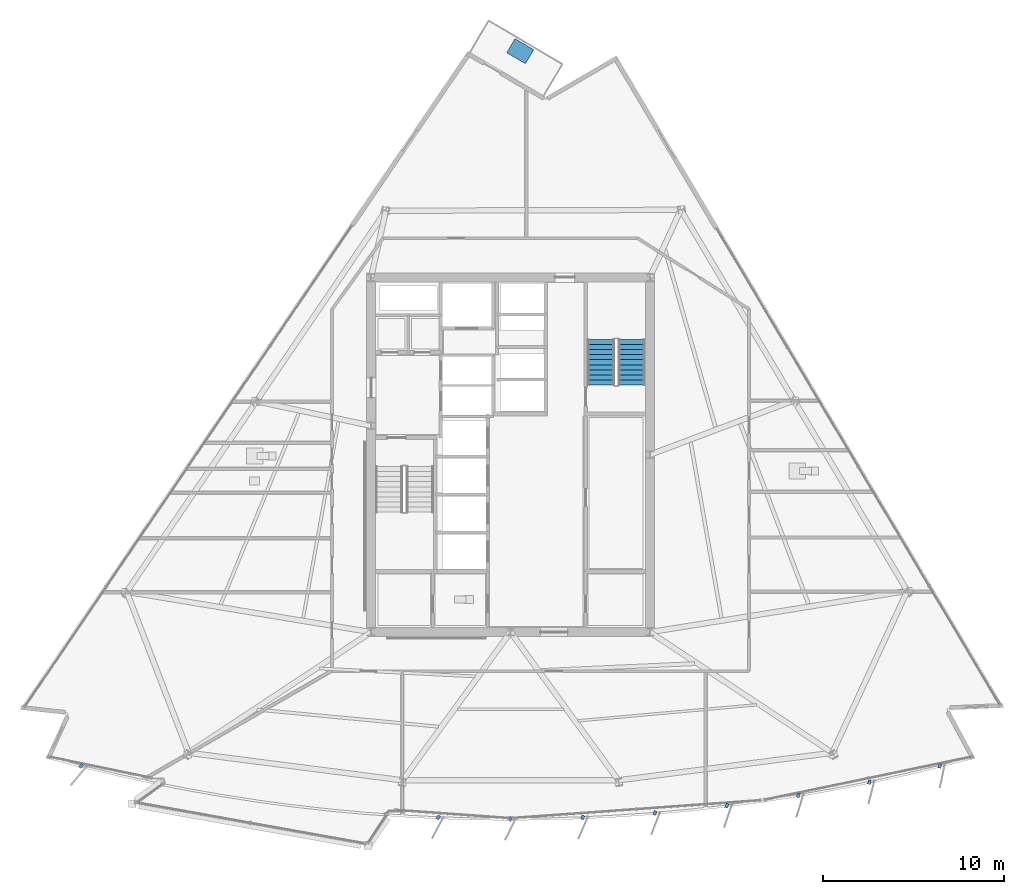
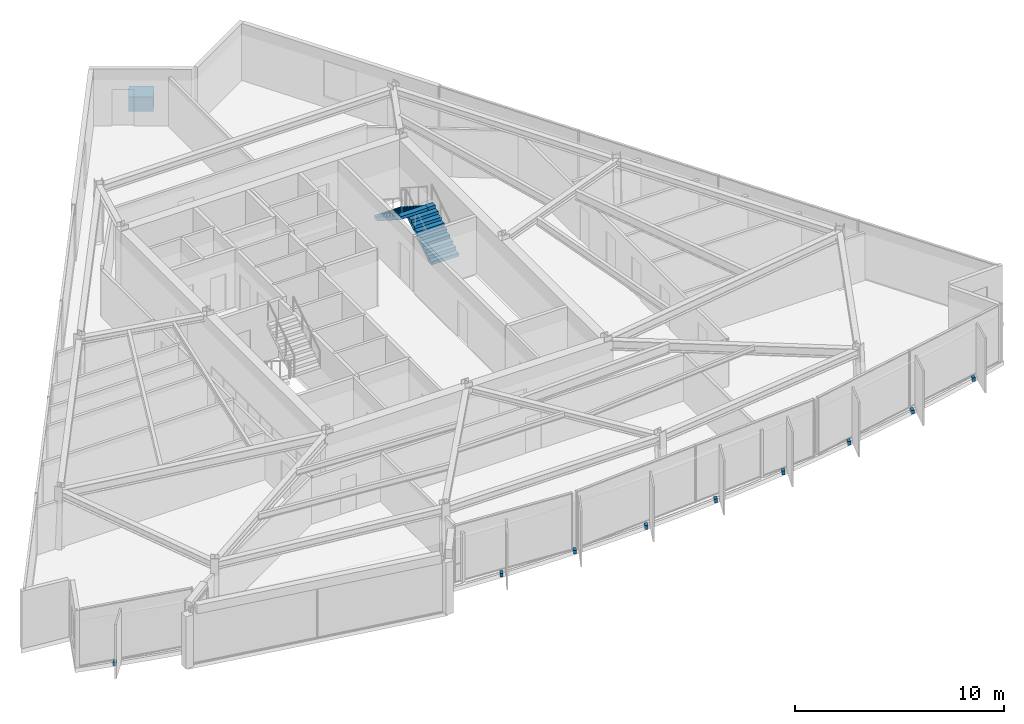
# One storey, part 11 of 16: 10 discrete accessories, 2 stair flights, 1 element without a shape of its own.
"""IFC4 building model written with IfcOpenShell, lengths in metres."""

from ifc_helpers import new_model, si_unit, direction, frame, origin, origin_2d, place, context, subcontext, project, spatial, polyline, rectangle, outline, extrude, material, type_object, element, aggregate, save


model = new_model("IFC4")

# Units and contexts
model_context = context("Model", 3, precision=1e-05, world=origin(), true_north=direction((0.0, 1.0)))
body_context = subcontext(model_context, "Body", "Model", "MODEL_VIEW")
ifc_project = project(units=[si_unit("LENGTHUNIT", "METRE"), si_unit("AREAUNIT", "SQUARE_METRE"), si_unit("VOLUMEUNIT", "CUBIC_METRE"), si_unit("PLANEANGLEUNIT", "RADIAN"), si_unit("MASSUNIT", "GRAM", prefix="KILO")], contexts=[model_context])

# Site, building, storey
site_placement = place(None, origin())
site = spatial("IfcSite", under=ifc_project, at=site_placement, CompositionType="ELEMENT")
building_placement = place(site_placement, origin())
building = spatial("IfcBuilding", under=site, at=building_placement, Name="Savorim Split Tower", CompositionType="ELEMENT")
storey_placement = place(building_placement, frame((0.0, 0.0, 153.0)))
storey = spatial("IfcBuildingStorey", under=building, at=storey_placement, Name="L40", CompositionType="ELEMENT", Elevation=153.0)

# Stair, stair flights
ifc_material_1 = material(Name="Concrete C50/60", Category="concrete")
stair_type = type_object("IfcStairType", Name="STR-DOG-3600", PredefinedType="HALF_TURN_STAIR", material=ifc_material_1)
stair_placement = place(storey_placement, origin())
stair = element("IfcStair", 1, at=stair_placement, inside=storey, type_object=stair_type, Name="L40 Core Protected Exit Stair ST-2", PredefinedType="HALF_TURN_STAIR")
stair_flight_type = type_object("IfcStairFlightType", Name="SFL-DOG-3600", PredefinedType="STRAIGHT", material=ifc_material_1)
stair_flight_1_placement = place(storey_placement, frame((6.699951171875, 4.25, 0.0), z_axis=(0.0, 0.0, 1.0), x_axis=(0.0, 1.0, 0.0)))
stair_flight_1 = element("IfcStairFlight", 2, at=stair_flight_1_placement, type_object=stair_flight_type, Name="ST-2 flight 1", NumberOfRisers=10, NumberOfTreads=9, PredefinedType="STRAIGHT", RiserHeight=0.18, TreadLength=0.28, context=body_context, shape_type="SweptSolid", body=[
    extrude(outline(polyline([(0.0, 0.0), (0.0, 0.179931640625), (0.280029296875, 0.179931640625), (0.280029296875, 0.360107421875), (0.56005859375, 0.360107421875), (0.56005859375, 0.5400390625), (0.840087890625, 0.5400390625), (0.840087890625, 0.719970703125), (1.1201171875, 0.719970703125), (1.1201171875, 0.89990234375), (1.39990234375, 0.89990234375), (1.39990234375, 1.080078125), (1.679931640625, 1.080078125), (1.679931640625, 1.260009765625), (1.9599609375, 1.260009765625), (1.9599609375, 1.43994140625), (2.239990234375, 1.43994140625), (2.239990234375, 1.6201171875), (2.52001953125, 1.6201171875), (2.52001953125, 1.800048828125), (2.52001953125, 1.44189453125), (0.277099609375, 0.0), (0.0, 0.0)])), frame((0.0, 0.75, 0.0), z_axis=(0.0, -1.0, 0.0), x_axis=(1.0, 0.0, 0.0)), (0.0, 0.0, 1.0), 1.5),
])
stair_flight_2_placement = place(storey_placement, frame((5.0, 6.77001953125, 1.800048828125), z_axis=(0.0, 0.0, 1.0), x_axis=(0.0, -1.0, 0.0)))
stair_flight_2 = element("IfcStairFlight", 3, at=stair_flight_2_placement, type_object=stair_flight_type, Name="ST-2 flight 2", NumberOfRisers=10, NumberOfTreads=9, PredefinedType="STRAIGHT", RiserHeight=0.18, TreadLength=0.28, context=body_context, shape_type="SweptSolid", body=[
    extrude(outline(polyline([(0.0, 0.0), (0.0, 0.179931640625), (0.280029296875, 0.179931640625), (0.280029296875, 0.360107421875), (0.56005859375, 0.360107421875), (0.56005859375, 0.5400390625), (0.840087890625, 0.5400390625), (0.840087890625, 0.719970703125), (1.1201171875, 0.719970703125), (1.1201171875, 0.89990234375), (1.39990234375, 0.89990234375), (1.39990234375, 1.080078125), (1.679931640625, 1.080078125), (1.679931640625, 1.260009765625), (1.9599609375, 1.260009765625), (1.9599609375, 1.43994140625), (2.239990234375, 1.43994140625), (2.239990234375, 1.6201171875), (2.52001953125, 1.6201171875), (2.52001953125, 1.800048828125), (2.52001953125, 1.44189453125), (0.277099609375, 0.0), (0.0, 0.0)])), frame((0.0, 0.75, 0.0), z_axis=(0.0, -1.0, 0.0), x_axis=(1.0, 0.0, 0.0)), (0.0, 0.0, 1.0), 1.5),
])
aggregate(stair, [stair_flight_1, stair_flight_2])

# Discrete accessories
ifc_material_2 = material(Name="Steel S355", Category="steel")
discrete_accessory_type_1 = type_object("IfcDiscreteAccessoryType", Name="ACC-BRK-FIN", PredefinedType="BRACKET", material=ifc_material_2)
for number, where, z_axis, x_axis, name in (
    (4, (-23.720703125, -16.79443359375, -0.18994140625), (0.0, 0.0, 1.0), (-0.643719022682, -0.765261928909, 0.0), "L40 Fin Slab-Edge Cleat Bracket 01"),
    (5, (-3.992431640625, -19.639892578125, -0.18994140625), (0.0, 0.0, 1.0), (-0.474778051978, -0.880105562623, 0.0), "L40 Fin Slab-Edge Cleat Bracket 06"),
    (6, (0.0, -19.7216796875, -0.18994140625), (0.0, 0.0, 1.0), (-0.438371146789, -0.898794046299, 0.0), "L40 Fin Slab-Edge Cleat Bracket 07"),
    (7, (3.992431640625, -19.639892578125, -0.18994140625), (0.0, 0.0, 1.0), (-0.401230091723, -0.915977299662, 0.0), "L40 Fin Slab-Edge Cleat Bracket 08"),
    (8, (7.97802734375, -19.39501953125, -0.18994140625), (0.0, 0.0, 1.0), (-0.363415461732, -0.931627179817, 0.0), "L40 Fin Slab-Edge Cleat Bracket 09"),
    (9, (11.950439453125, -18.987060546875, -0.18994140625), (0.0, 0.0, 1.0), (-0.324993810493, -0.945716143005, 0.0), "L40 Fin Slab-Edge Cleat Bracket 10"),
    (10, (15.902587890625, -18.4169921875, -0.18994140625), (0.0, 0.0, 1.0), (-0.286026212504, -0.958221793616, 0.0), "L40 Fin Slab-Edge Cleat Bracket 11"),
    (11, (19.828369140625, -17.685791015625, -0.18994140625), (0.0, 0.0, 1.0), (-0.246581250663, -0.969122121727, 0.0), "L40 Fin Slab-Edge Cleat Bracket 12"),
    (12, (23.720703125, -16.79443359375, -0.18994140625), (0.0, 0.0, 1.0), (-0.206721626106, -0.978399800337, 0.0), "L40 Fin Slab-Edge Cleat Bracket 13"),
):
    element("IfcDiscreteAccessory", number, at=place(storey_placement, frame(where, z_axis=z_axis, x_axis=x_axis)), inside=storey, type_object=discrete_accessory_type_1, Name=name, PredefinedType="BRACKET", context=body_context, shape_type="SweptSolid", body=[
        extrude(rectangle(XDim=0.239990234375, YDim=0.159912109375, at=origin_2d()), origin(), (0.0, 0.0, 1.0), 0.219970703125),
    ])
ifc_material_3 = material(Name="Architectural Precast Planter Concrete C40/50", Category="concrete")
discrete_accessory_type_2 = type_object("IfcDiscreteAccessoryType", Name="ACC-PLN-TREE", PredefinedType="USERDEFINED", material=ifc_material_3)
discrete_accessory_placement = place(storey_placement, frame((0.53759765625, 22.694091796875, 0.0), z_axis=(0.0, 0.0, 1.0), x_axis=(-0.862127461925, 0.506691463709, 0.0)))
element("IfcDiscreteAccessory", 13, at=discrete_accessory_placement, inside=storey, type_object=discrete_accessory_type_2, Name="L40 Balcony Precast Tree Planter N", ObjectType="PLANTER", PredefinedType="USERDEFINED", context=body_context, shape_type="SweptSolid", body=[
    extrude(rectangle(XDim=1.199951171875, YDim=0.89990234375, at=origin_2d()), origin(), (0.0, 0.0, 1.0), 0.85009765625),
])

save(model, "model.ifc")
